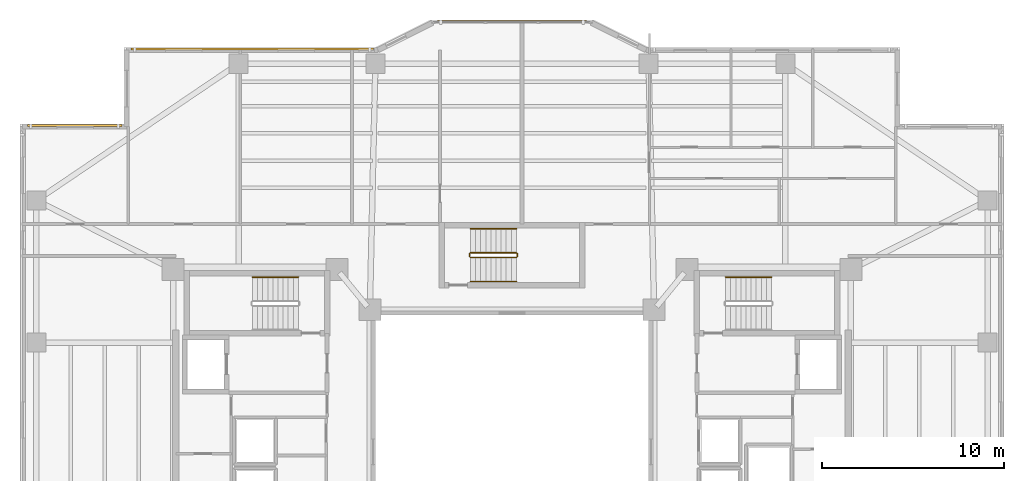
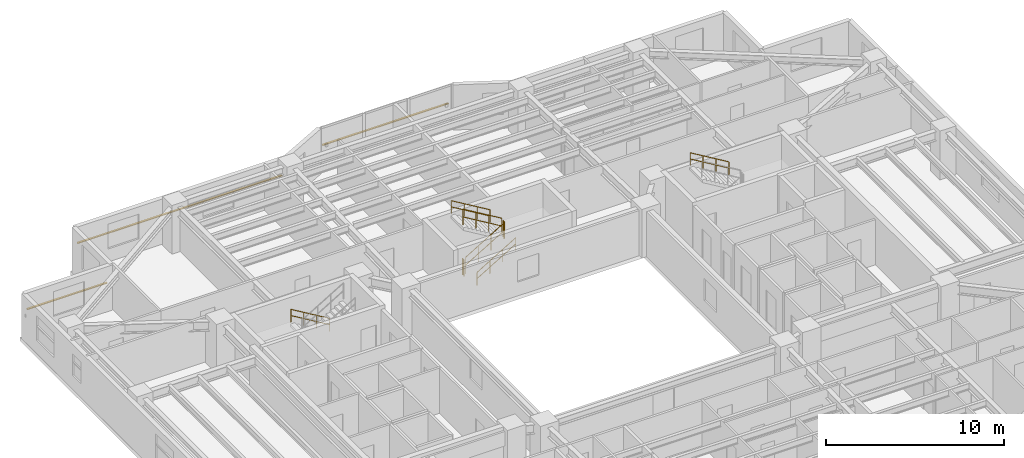
# One storey, part 17 of 18: 8 railings, 3 shading devices.
"""IFC4 building model written with IfcOpenShell, lengths in metres."""

import ifcopenshell
import ifcopenshell.guid

model = None  # the IFC model being written
_history = None  # IfcOwnerHistory: only IFC2X3 demands one
_inside = {}  # id of a spatial element -> (the spatial element, [elements in it])
_under = {}  # id of a project, library or spatial element -> (it, [spatial elements below it])
_declared = {}  # id of a project -> (the project, [libraries it declares])
_typed = {}  # id of a type object -> (the type object, [elements of that type])
_made_of = {}  # id of a material, layer set ... -> (it, [elements and type objects made of it])


def new_model(schema):
    """Start an empty IFC model of exactly this schema.

    Asked for "IFC4X3", IfcOpenShell would pick the latest addendum, in which some entities
    have other attributes; the version numbers below select the first issue.
    IFC2X3 requires an IfcOwnerHistory on every rooted entity: one is made here for all.
    """
    global model, _history
    if schema == "IFC4X3":
        model = ifcopenshell.file(schema_version=(4, 3, 0, 0))
    else:
        model = ifcopenshell.file(schema=schema)
    _inside.clear()
    _under.clear()
    _declared.clear()
    _typed.clear()
    _made_of.clear()
    _history = None
    if model.schema == "IFC2X3":
        org = make("IfcOrganization", Name="unknown")
        user = make(
            "IfcPersonAndOrganization",
            ThePerson=make("IfcPerson", FamilyName="unknown"),
            TheOrganization=org,
        )
        app = make(
            "IfcApplication",
            ApplicationDeveloper=org,
            Version="unknown",
            ApplicationFullName="unknown",
            ApplicationIdentifier="unknown",
        )
        _history = make(
            "IfcOwnerHistory",
            OwningUser=user,
            OwningApplication=app,
            ChangeAction="ADDED",
            CreationDate=0,
        )
    return model


def make(cls, **values):
    """One entity of the class cls with the attributes given. An attribute that is None is left unset."""
    return model.create_entity(
        cls, **{name: value for name, value in values.items() if value is not None}
    )


def rooted(cls, **values):
    """An entity with a GlobalId (a new one), such as an element, a storey or a relation."""
    return make(cls, GlobalId=ifcopenshell.guid.new(), OwnerHistory=_history, **values)


def si_unit(unit_type, name, prefix=None):
    """IfcSIUnit, for example si_unit("LENGTHUNIT", "METRE", prefix="MILLI")."""
    return make("IfcSIUnit", UnitType=unit_type, Prefix=prefix, Name=name)


def assignment(units):
    """IfcUnitAssignment: the units of a project."""
    return None if units is None else make("IfcUnitAssignment", Units=units)


def point(xyz):
    """IfcCartesianPoint."""
    return None if xyz is None else make("IfcCartesianPoint", Coordinates=xyz)


def direction(xyz):
    """IfcDirection."""
    return None if xyz is None else make("IfcDirection", DirectionRatios=xyz)


def frame(location, z_axis=None, x_axis=None):
    """IfcAxis2Placement3D, a coordinate frame: its origin and axes. An axis left out is left unset."""
    return make(
        "IfcAxis2Placement3D",
        Location=point(location),
        Axis=direction(z_axis),
        RefDirection=direction(x_axis),
    )


def frame_2d(location, x_axis=None):
    """IfcAxis2Placement2D, a coordinate frame in the plane: its origin and x axis."""
    return make(
        "IfcAxis2Placement2D", Location=point(location), RefDirection=direction(x_axis)
    )


def origin():
    """The frame at (0, 0, 0) with its axes left unset."""
    return frame((0.0, 0.0, 0.0))


def origin_2d():
    """The frame at (0, 0) in the plane with its x axis left unset."""
    return frame_2d((0.0, 0.0))


def place(relative_to, where):
    """IfcLocalPlacement: puts the frame where relative to a parent placement (None: the world)."""
    return make(
        "IfcLocalPlacement", PlacementRelTo=relative_to, RelativePlacement=where
    )


def context(
    kind, dimensions, precision=None, world=None, true_north=None, identifier=None
):
    """IfcGeometricRepresentationContext, for example the 3D "Model" context."""
    return make(
        "IfcGeometricRepresentationContext",
        ContextIdentifier=identifier,
        ContextType=kind,
        CoordinateSpaceDimension=dimensions,
        Precision=precision,
        WorldCoordinateSystem=world,
        TrueNorth=true_north,
    )


def subcontext(parent, identifier, kind, view, scale=None):
    """IfcGeometricRepresentationSubContext, for example "Body" below "Model"."""
    return make(
        "IfcGeometricRepresentationSubContext",
        ContextIdentifier=identifier,
        ContextType=kind,
        ParentContext=parent,
        TargetScale=scale,
        TargetView=view,
    )


def project(units=None, contexts=None):
    """IfcProject with its units and contexts."""
    return rooted(
        "IfcProject",
        Name="project",
        RepresentationContexts=contexts,
        UnitsInContext=assignment(units),
    )


def spatial(cls, under=None, at=None, **own):
    """A site, building, storey or space (cls), placed at a placement, below another one or the project."""
    s = rooted(cls, ObjectPlacement=at, **own)
    if under is not None:
        _under.setdefault(under.id(), (under, []))[1].append(s)
    return s


def profile(cls, at=None, kind="AREA", **sizes):
    """A parametric profile (cls). Its sizes go by their IFC names, for example OverallWidth=200.0."""
    return make(cls, ProfileType=kind, Position=at, **sizes)


def rectangle(**sizes):
    """IfcRectangleProfileDef."""
    return profile("IfcRectangleProfileDef", **sizes)


def circle(**sizes):
    """IfcCircleProfileDef."""
    return profile("IfcCircleProfileDef", **sizes)


def extrude(swept, where, along, depth):
    """IfcExtrudedAreaSolid: the profile swept, set in the frame where, extruded along a direction by depth."""
    return make(
        "IfcExtrudedAreaSolid",
        SweptArea=swept,
        Position=where,
        ExtrudedDirection=direction(along),
        Depth=depth,
    )


def shape(context_of_items, identifier, shape_type, items):
    """IfcShapeRepresentation: the items that make up one representation, for example the "Body"."""
    return make(
        "IfcShapeRepresentation",
        ContextOfItems=context_of_items,
        RepresentationIdentifier=identifier,
        RepresentationType=shape_type,
        Items=items,
    )


def material(Name=None, Category=None):
    """IfcMaterial."""
    return make("IfcMaterial", Name=Name, Category=Category)


def material_profile(
    of_material, cross_section, Name=None, Category=None, Priority=None
):
    """IfcMaterialProfile: a cross section and its material."""
    return make(
        "IfcMaterialProfile",
        Name=Name,
        Material=of_material,
        Profile=cross_section,
        Priority=Priority,
        Category=Category,
    )


def profile_set(profiles, Name=None, composite=None):
    """IfcMaterialProfileSet."""
    return make(
        "IfcMaterialProfileSet",
        Name=Name,
        MaterialProfiles=profiles,
        CompositeProfile=composite,
    )


def made_of(thing, what):
    """Note that an element or type object is made of a material, layer set ...; save() writes the relation."""
    if what is not None:
        _made_of.setdefault(what.id(), (what, []))[1].append(thing)
    return thing


def type_object(cls, material=None, **own):
    """A type object (cls), such as IfcWallType, which elements share."""
    return made_of(rooted(cls, **own), material)


def element(
    cls,
    number,
    at=None,
    inside=None,
    cuts=None,
    type_object=None,
    material=None,
    context=None,
    identifier="Body",
    shape_type=None,
    held_by="IfcProductDefinitionShape",
    body=None,
    shapes=None,
    **own,
):
    """One element of the class cls, such as IfcWall. Its Tag is "e" and its number.

    at: its placement. inside: the storey or other place that contains it. cuts: it is an
    opening in that element (IfcRelVoidsElement). A single representation is given by context,
    identifier, shape_type and body (its items); several are given by shapes. held_by: the class
    of the entity that holds the representations. save() writes the other relations.
    """
    e = rooted(cls, Tag="e%d" % number, ObjectPlacement=at, **own)
    if body is not None:
        shapes = [shape(context, identifier, shape_type, body)]
    if shapes is not None:
        e.Representation = make(held_by, Representations=shapes)
    if inside is not None:
        _inside.setdefault(inside.id(), (inside, []))[1].append(e)
    if cuts is not None:
        rooted(
            "IfcRelVoidsElement", RelatingBuildingElement=cuts, RelatedOpeningElement=e
        )
    if type_object is not None:
        _typed.setdefault(type_object.id(), (type_object, []))[1].append(e)
    return made_of(e, material)


def aggregate(whole, parts):
    """IfcRelAggregates: a whole, such as a stair, and the parts it consists of."""
    return rooted("IfcRelAggregates", RelatingObject=whole, RelatedObjects=parts)


def save(model, path):
    """Write the relations noted so far, then the file.

    IfcRelAggregates (storeys below a building ...), IfcRelContainedInSpatialStructure (elements
    in a storey), IfcRelDefinesByType, IfcRelAssociatesMaterial and IfcRelDeclares: one each for
    every whole, place, type object, material and project.
    """
    for whole, parts in _under.values():
        aggregate(whole, parts)
    for where, things in _inside.values():
        rooted(
            "IfcRelContainedInSpatialStructure",
            RelatedElements=things,
            RelatingStructure=where,
        )
    for kind, things in _typed.values():
        rooted("IfcRelDefinesByType", RelatedObjects=things, RelatingType=kind)
    for what, things in _made_of.values():
        rooted("IfcRelAssociatesMaterial", RelatedObjects=things, RelatingMaterial=what)
    for by, libraries in _declared.values():
        rooted("IfcRelDeclares", RelatingContext=by, RelatedDefinitions=libraries)
    model.write(path)


model = new_model("IFC4")

# Units and contexts
model_context = context("Model", 3, precision=1e-05, world=origin(), true_north=direction((0.0, 1.0)))
body_context = subcontext(model_context, "Body", "Model", "MODEL_VIEW")
ifc_project = project(units=[si_unit("LENGTHUNIT", "METRE"), si_unit("AREAUNIT", "SQUARE_METRE"), si_unit("VOLUMEUNIT", "CUBIC_METRE"), si_unit("PLANEANGLEUNIT", "RADIAN"), si_unit("MASSUNIT", "GRAM", prefix="KILO")], contexts=[model_context])

# Site, building, storey
site_placement = place(None, origin())
site = spatial("IfcSite", under=ifc_project, at=site_placement, CompositionType="ELEMENT")
building_placement = place(site_placement, origin())
building = spatial("IfcBuilding", under=site, at=building_placement, Name="Tarnavaz Court Tower", CompositionType="ELEMENT")
storey_placement = place(building_placement, frame((0.0, 0.0, 88.35009765625)))
storey = spatial("IfcBuildingStorey", under=building, at=storey_placement, Name="L23", CompositionType="ELEMENT", Elevation=88.35009765625)

# Railings
ifc_material_1 = material(Name="Brushed Stainless Steel", Category="steel")
railing_type_1 = type_object("IfcRailingType", Name="RL-HANDRAIL-900", PredefinedType="HANDRAIL", material=ifc_material_1)
railing_1_placement = place(storey_placement, frame((-11.719970703125, 9.590087890625, 0.16748046875)))
element("IfcRailing", 1, at=railing_1_placement, inside=storey, type_object=railing_type_1, Name="L23 ST-W1 stair handrail 1", PredefinedType="HANDRAIL", context=body_context, shape_type="SweptSolid", body=[
    extrude(circle(Radius=0.02392578125, at=origin_2d()), frame((0.0, 0.0, 0.8759765625), z_axis=(-0.858196387827, 0.0, 0.513321497621), x_axis=(0.0, -1.0, 0.0)), (0.0, 0.0, 1.0), 2.9365234375),
    extrude(circle(Radius=0.02392578125, at=origin_2d()), frame((0.0, 0.0, 0.449951171875), z_axis=(-0.858196387827, 0.0, 0.513321497621), x_axis=(0.0, -1.0, 0.0)), (0.0, 0.0, 1.0), 2.9365234375),
    extrude(circle(Radius=0.02099609375, at=origin_2d()), origin(), (0.0, 0.0, 1.0), 0.851806640625),
    extrude(circle(Radius=0.02099609375, at=origin_2d()), frame((-0.840087890625, 0.0, 0.50244140625)), (0.0, 0.0, 1.0), 0.851806640625),
    extrude(circle(Radius=0.02099609375, at=origin_2d()), frame((-1.679931640625, 0.0, 1.0048828125)), (0.0, 0.0, 1.0), 0.851806640625),
    extrude(circle(Radius=0.02099609375, at=origin_2d()), frame((-2.52001953125, 0.0, 1.50732421875)), (0.0, 0.0, 1.0), 0.851806640625),
])
railing_2_placement = place(storey_placement, frame((14.239990234375, 9.590087890625, 1.84228515625)))
element("IfcRailing", 2, at=railing_2_placement, inside=storey, type_object=railing_type_1, Name="L23 ST-E1 stair handrail 2", PredefinedType="HANDRAIL", context=body_context, shape_type="SweptSolid", body=[
    extrude(circle(Radius=0.02392578125, at=origin_2d()), frame((0.0, 0.0, 0.8759765625), z_axis=(-0.858159760407, 0.0, 0.513382728203), x_axis=(0.0, -1.0, 0.0)), (0.0, 0.0, 1.0), 2.9365234375),
    extrude(circle(Radius=0.02392578125, at=origin_2d()), frame((0.0, 0.0, 0.449951171875), z_axis=(-0.858159760407, 0.0, 0.513382728203), x_axis=(0.0, -1.0, 0.0)), (0.0, 0.0, 1.0), 2.9365234375),
    extrude(circle(Radius=0.02099609375, at=origin_2d()), origin(), (0.0, 0.0, 1.0), 0.851806640625),
    extrude(circle(Radius=0.02099609375, at=origin_2d()), frame((-0.840087890625, 0.0, 0.50244140625)), (0.0, 0.0, 1.0), 0.851806640625),
    extrude(circle(Radius=0.02099609375, at=origin_2d()), frame((-1.679931640625, 0.0, 1.005126953125)), (0.0, 0.0, 1.0), 0.851806640625),
    extrude(circle(Radius=0.02099609375, at=origin_2d()), frame((-2.52001953125, 0.0, 1.507568359375)), (0.0, 0.0, 1.0), 0.851806640625),
])
railing_3_placement = place(storey_placement, frame((-2.280029296875, 9.35009765625, 0.16748046875)))
element("IfcRailing", 3, at=railing_3_placement, inside=storey, type_object=railing_type_1, Name="L23 ST-N1 stair handrail 1", PredefinedType="HANDRAIL", context=body_context, shape_type="SweptSolid", body=[
    extrude(circle(Radius=0.02392578125, at=origin_2d()), frame((0.0, 0.0, 0.8759765625), z_axis=(0.858196387827, 0.0, 0.513321497621), x_axis=(0.0, 1.0, 0.0)), (0.0, 0.0, 1.0), 2.9365234375),
    extrude(circle(Radius=0.02392578125, at=origin_2d()), frame((0.0, 0.0, 0.449951171875), z_axis=(0.858196387827, 0.0, 0.513321497621), x_axis=(0.0, 1.0, 0.0)), (0.0, 0.0, 1.0), 2.9365234375),
    extrude(circle(Radius=0.02099609375, at=origin_2d()), origin(), (0.0, 0.0, 1.0), 0.851806640625),
    extrude(circle(Radius=0.02099609375, at=origin_2d()), frame((0.840087890625, 0.0, 0.50244140625)), (0.0, 0.0, 1.0), 0.851806640625),
    extrude(circle(Radius=0.02099609375, at=origin_2d()), frame((1.679931640625, 0.0, 1.0048828125)), (0.0, 0.0, 1.0), 0.851806640625),
    extrude(circle(Radius=0.02099609375, at=origin_2d()), frame((2.52001953125, 0.0, 1.50732421875)), (0.0, 0.0, 1.0), 0.851806640625),
])
railing_4_placement = place(storey_placement, frame((0.239990234375, 12.239990234375, 1.84228515625)))
element("IfcRailing", 4, at=railing_4_placement, inside=storey, type_object=railing_type_1, Name="L23 ST-N1 stair handrail 2", PredefinedType="HANDRAIL", context=body_context, shape_type="SweptSolid", body=[
    extrude(circle(Radius=0.02392578125, at=origin_2d()), frame((0.0, 0.0, 0.8759765625), z_axis=(-0.858159760407, 0.0, 0.513382728203), x_axis=(0.0, -1.0, 0.0)), (0.0, 0.0, 1.0), 2.9365234375),
    extrude(circle(Radius=0.02392578125, at=origin_2d()), frame((0.0, 0.0, 0.449951171875), z_axis=(-0.858159760407, 0.0, 0.513382728203), x_axis=(0.0, -1.0, 0.0)), (0.0, 0.0, 1.0), 2.9365234375),
    extrude(circle(Radius=0.02099609375, at=origin_2d()), origin(), (0.0, 0.0, 1.0), 0.851806640625),
    extrude(circle(Radius=0.02099609375, at=origin_2d()), frame((-0.840087890625, 0.0, 0.50244140625)), (0.0, 0.0, 1.0), 0.851806640625),
    extrude(circle(Radius=0.02099609375, at=origin_2d()), frame((-1.679931640625, 0.0, 1.005126953125)), (0.0, 0.0, 1.0), 0.851806640625),
    extrude(circle(Radius=0.02099609375, at=origin_2d()), frame((-2.52001953125, 0.0, 1.507568359375)), (0.0, 0.0, 1.0), 0.851806640625),
])
ifc_material_2 = material(Name="Galvanized Painted Tubular Steel", Category="steel")
railing_type_2 = type_object("IfcRailingType", Name="RL-STGUARD-1120", PredefinedType="GUARDRAIL", material=ifc_material_2)
railing_5_placement = place(storey_placement, frame((-2.280029296875, 10.669921875, 0.16748046875)))
element("IfcRailing", 5, at=railing_5_placement, inside=storey, type_object=railing_type_2, Name="L23 ST-N1 stair guard 1", PredefinedType="GUARDRAIL", context=body_context, shape_type="SweptSolid", body=[
    extrude(circle(Radius=0.02392578125, at=origin_2d()), frame((0.0, 0.0, 1.09619140625), z_axis=(0.858196387827, 0.0, 0.513321497621), x_axis=(0.0, 1.0, 0.0)), (0.0, 0.0, 1.0), 2.9365234375),
    extrude(circle(Radius=0.02392578125, at=origin_2d()), frame((0.0, 0.0, 0.56005859375), z_axis=(0.858196387827, 0.0, 0.513321497621), x_axis=(0.0, 1.0, 0.0)), (0.0, 0.0, 1.0), 2.9365234375),
    extrude(circle(Radius=0.02099609375, at=origin_2d()), origin(), (0.0, 0.0, 1.0), 1.072021484375),
    extrude(circle(Radius=0.02099609375, at=origin_2d()), frame((0.840087890625, 0.0, 0.50244140625)), (0.0, 0.0, 1.0), 1.072021484375),
    extrude(circle(Radius=0.02099609375, at=origin_2d()), frame((1.679931640625, 0.0, 1.0048828125)), (0.0, 0.0, 1.0), 1.072021484375),
    extrude(circle(Radius=0.02099609375, at=origin_2d()), frame((2.52001953125, 0.0, 1.50732421875)), (0.0, 0.0, 1.0), 1.072021484375),
])
railing_6_placement = place(storey_placement, frame((0.2900390625, 10.719970703125, 1.6748046875)))
element("IfcRailing", 6, at=railing_6_placement, inside=storey, type_object=railing_type_2, Name="L23 ST-N1 stair guard 2", PredefinedType="GUARDRAIL", context=body_context, shape_type="SweptSolid", body=[
    extrude(circle(Radius=0.02392578125, at=origin_2d()), frame((0.0, 0.0, 1.09619140625), z_axis=(0.0, 1.0, 0.0), x_axis=(-1.0, 0.0, 0.0)), (0.0, 0.0, 1.0), 0.150146484375),
    extrude(circle(Radius=0.02392578125, at=origin_2d()), frame((0.0, 0.0, 0.56005859375), z_axis=(0.0, 1.0, 0.0), x_axis=(-1.0, 0.0, 0.0)), (0.0, 0.0, 1.0), 0.150146484375),
    extrude(circle(Radius=0.02099609375, at=origin_2d()), origin(), (0.0, 0.0, 1.0), 1.072021484375),
    extrude(circle(Radius=0.02099609375, at=origin_2d()), frame((0.0, 0.150146484375, 0.0)), (0.0, 0.0, 1.0), 1.072021484375),
])
railing_7_placement = place(storey_placement, frame((0.239990234375, 10.919921875, 1.84228515625)))
element("IfcRailing", 7, at=railing_7_placement, inside=storey, type_object=railing_type_2, Name="L23 ST-N1 stair guard 3", PredefinedType="GUARDRAIL", context=body_context, shape_type="SweptSolid", body=[
    extrude(circle(Radius=0.02392578125, at=origin_2d()), frame((0.0, 0.0, 1.09619140625), z_axis=(-0.858159760407, 0.0, 0.513382728203), x_axis=(0.0, -1.0, 0.0)), (0.0, 0.0, 1.0), 2.9365234375),
    extrude(circle(Radius=0.02392578125, at=origin_2d()), frame((0.0, 0.0, 0.56005859375), z_axis=(-0.858159760407, 0.0, 0.513382728203), x_axis=(0.0, -1.0, 0.0)), (0.0, 0.0, 1.0), 2.9365234375),
    extrude(circle(Radius=0.02099609375, at=origin_2d()), origin(), (0.0, 0.0, 1.0), 1.072021484375),
    extrude(circle(Radius=0.02099609375, at=origin_2d()), frame((-0.840087890625, 0.0, 0.50244140625)), (0.0, 0.0, 1.0), 1.072021484375),
    extrude(circle(Radius=0.02099609375, at=origin_2d()), frame((-1.679931640625, 0.0, 1.005126953125)), (0.0, 0.0, 1.0), 1.072021484375),
    extrude(circle(Radius=0.02099609375, at=origin_2d()), frame((-2.52001953125, 0.0, 1.507568359375)), (0.0, 0.0, 1.0), 1.072021484375),
])
railing_8_placement = place(storey_placement, frame((-2.330078125, 10.719970703125, 0.0)))
element("IfcRailing", 8, at=railing_8_placement, inside=storey, type_object=railing_type_2, Name="L23 ST-N1 stair guard 4", PredefinedType="GUARDRAIL", context=body_context, shape_type="SweptSolid", body=[
    extrude(circle(Radius=0.02392578125, at=origin_2d()), frame((0.0, 0.0, 1.09619140625), z_axis=(0.0, 1.0, 0.0), x_axis=(-1.0, 0.0, 0.0)), (0.0, 0.0, 1.0), 0.150146484375),
    extrude(circle(Radius=0.02392578125, at=origin_2d()), frame((0.0, 0.0, 0.56005859375), z_axis=(0.0, 1.0, 0.0), x_axis=(-1.0, 0.0, 0.0)), (0.0, 0.0, 1.0), 0.150146484375),
    extrude(circle(Radius=0.02099609375, at=origin_2d()), origin(), (0.0, 0.0, 1.0), 1.072021484375),
    extrude(circle(Radius=0.02099609375, at=origin_2d()), frame((0.0, 0.150146484375, 0.0)), (0.0, 0.0, 1.0), 1.072021484375),
])

# Shading devices
ifc_material_3 = material(Name="Kiln-Fired Khorasan Terracotta Ceramic", Category="masonry")
ifc_material_profile = material_profile(ifc_material_3, rectangle(XDim=0.1201171875, YDim=0.06005859375, at=origin_2d()), Name="TC BAGUETTE 120X60")
ifc_profile_set = profile_set([ifc_material_profile], Name="Kiln-Fired Khorasan Terracotta Ceramic")
shading_device_type = type_object("IfcShadingDeviceType", Name="SD-BAG-120", PredefinedType="USERDEFINED", material=ifc_profile_set)
shading_device_1_placement = place(storey_placement, frame((-26.60009765625, 17.909912109375, 1.849853515625), z_axis=(1.0, 0.0, 0.0), x_axis=(0.0, 1.0, 0.0)))
element("IfcShadingDevice", 9, at=shading_device_1_placement, inside=storey, type_object=shading_device_type, Name="L23 Terracotta Baguette Screen FBG03", ObjectType="BAGUETTE", PredefinedType="USERDEFINED", context=body_context, shape_type="SweptSolid", body=[
    extrude(rectangle(XDim=0.1201171875, YDim=0.06005859375, at=origin_2d()), origin(), (0.0, 0.0, 1.0), 5.2001953125),
])
shading_device_2_placement = place(storey_placement, frame((-20.89990234375, 22.110107421875, 1.849853515625), z_axis=(1.0, 0.0, 0.0), x_axis=(0.0, 1.0, 0.0)))
element("IfcShadingDevice", 10, at=shading_device_2_placement, inside=storey, type_object=shading_device_type, Name="L23 Terracotta Baguette Screen FBG05", ObjectType="BAGUETTE", PredefinedType="USERDEFINED", context=body_context, shape_type="SweptSolid", body=[
    extrude(rectangle(XDim=0.1201171875, YDim=0.06005859375, at=origin_2d()), origin(), (0.0, 0.0, 1.0), 13.2998046875),
])
shading_device_3_placement = place(storey_placement, frame((-4.10009765625, 23.610107421875, 1.7998046875), z_axis=(1.0, 0.0, 0.0), x_axis=(0.0, 1.0, 0.0)))
element("IfcShadingDevice", 11, at=shading_device_3_placement, inside=storey, type_object=shading_device_type, Name="L23 Terracotta Baguette Screen PBG7", ObjectType="BAGUETTE", PredefinedType="USERDEFINED", context=body_context, shape_type="SweptSolid", body=[
    extrude(rectangle(XDim=0.1201171875, YDim=0.06005859375, at=origin_2d()), origin(), (0.0, 0.0, 1.0), 8.2001953125),
])

save(model, "model.ifc")
